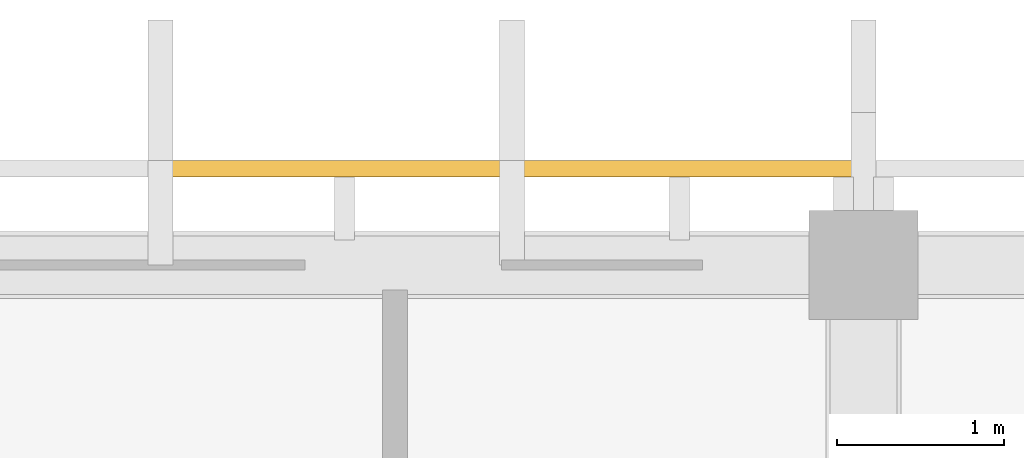
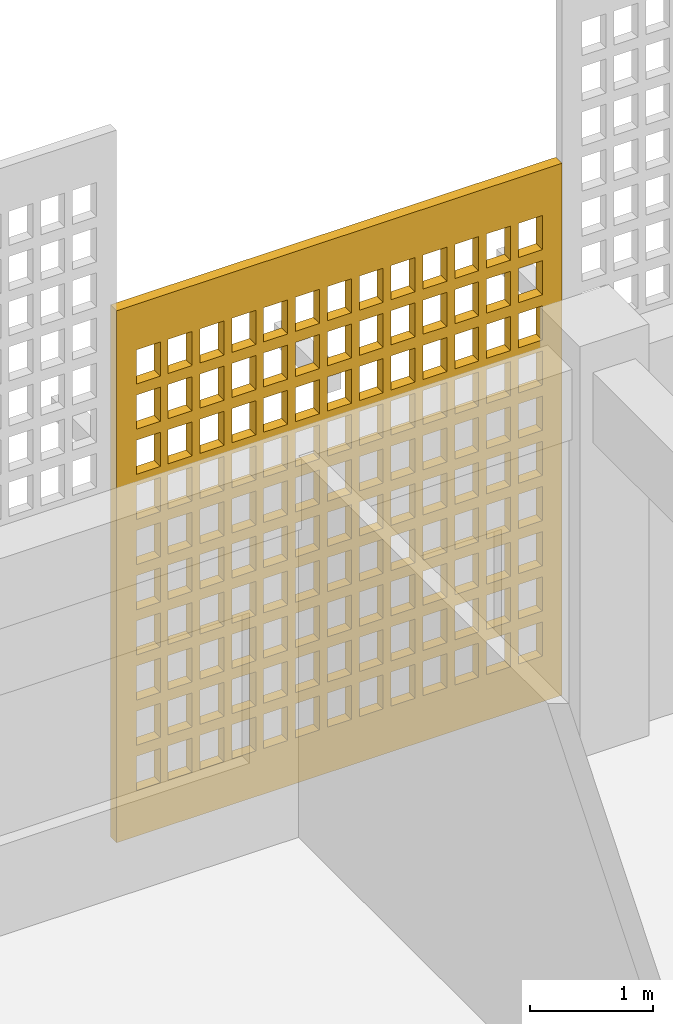
# One storey, part 19 of 23: 1 shading device, 1 opening.
"""IFC4 building model written with IfcOpenShell, lengths in metres."""

from ifc_helpers import new_model, si_unit, direction, frame, origin, origin_2d, place, context, subcontext, project, spatial, rectangle, extrude, material, layer, layer_set, type_object, element, save


model = new_model("IFC4")

# Units and contexts
model_context = context("Model", 3, precision=1e-05, world=origin(), true_north=direction((0.0, 1.0)))
body_context = subcontext(model_context, "Body", "Model", "MODEL_VIEW")
ifc_project = project(units=[si_unit("LENGTHUNIT", "METRE"), si_unit("AREAUNIT", "SQUARE_METRE"), si_unit("VOLUMEUNIT", "CUBIC_METRE"), si_unit("PLANEANGLEUNIT", "RADIAN"), si_unit("MASSUNIT", "GRAM", prefix="KILO")], contexts=[model_context])

# Site, building, storey
site_placement = place(None, origin())
site = spatial("IfcSite", under=ifc_project, at=site_placement, CompositionType="ELEMENT")
building_placement = place(site_placement, origin())
building = spatial("IfcBuilding", under=site, at=building_placement, Name="Rulbaag Community and Learning Centre", CompositionType="ELEMENT")
storey_placement = place(building_placement, frame((0.0, 0.0, 64.800048828125)))
storey = spatial("IfcBuildingStorey", under=building, at=storey_placement, Name="L17", CompositionType="ELEMENT", Elevation=64.800048828125)

# Shading device, opening
ifc_material = material(Name="Concrete M40", Category="concrete")
ifc_layer = layer(ifc_material, 0.10009765625)
ifc_layer_set = layer_set([ifc_layer], Name="JC-4")
shading_device_type = type_object("IfcShadingDeviceType", Name="JC-4", PredefinedType="SHUTTER", material=ifc_layer_set)
shading_device_placement = place(storey_placement, frame((149.10009765625, 118.175048828125, 0.0), z_axis=(0.0, 0.0, 1.0), x_axis=(1.0, 0.0, 0.0)))
shading_device = element("IfcShadingDevice", 1, at=shading_device_placement, inside=storey, type_object=shading_device_type, Name="Jaali lantern screen", PredefinedType="SHUTTER", context=body_context, shape_type="SweptSolid", body=[
    extrude(rectangle(XDim=4.199951171875, YDim=0.10009765625, at=origin_2d()), origin(), (0.0, 0.0, 1.0), 5.300048828125),
])
opening_placement = place(shading_device_placement, origin())
element("IfcOpeningElement", 2, at=opening_placement, cuts=shading_device, Name="Perforation JC4", PredefinedType="OPENING", context=body_context, shape_type="SweptSolid", body=[
    extrude(rectangle(XDim=0.22509765625, YDim=0.340087890625, at=origin_2d()), frame((-1.800048828125, -0.06005859375, 0.625), z_axis=(0.0, 1.0, 0.0), x_axis=(1.0, 0.0, 0.0)), (0.0, 0.0, 1.0), 0.1201171875),
    extrude(rectangle(XDim=0.22509765625, YDim=0.340087890625, at=origin_2d()), frame((-1.5, -0.06005859375, 0.625), z_axis=(0.0, 1.0, 0.0), x_axis=(1.0, 0.0, 0.0)), (0.0, 0.0, 1.0), 0.1201171875),
    extrude(rectangle(XDim=0.22509765625, YDim=0.340087890625, at=origin_2d()), frame((-1.199951171875, -0.06005859375, 0.625), z_axis=(0.0, 1.0, 0.0), x_axis=(1.0, 0.0, 0.0)), (0.0, 0.0, 1.0), 0.1201171875),
    extrude(rectangle(XDim=0.22509765625, YDim=0.340087890625, at=origin_2d()), frame((-0.89990234375, -0.06005859375, 0.625), z_axis=(0.0, 1.0, 0.0), x_axis=(1.0, 0.0, 0.0)), (0.0, 0.0, 1.0), 0.1201171875),
    extrude(rectangle(XDim=0.22509765625, YDim=0.340087890625, at=origin_2d()), frame((-0.60009765625, -0.06005859375, 0.625), z_axis=(0.0, 1.0, 0.0), x_axis=(1.0, 0.0, 0.0)), (0.0, 0.0, 1.0), 0.1201171875),
    extrude(rectangle(XDim=0.22509765625, YDim=0.340087890625, at=origin_2d()), frame((-0.300048828125, -0.06005859375, 0.625), z_axis=(0.0, 1.0, 0.0), x_axis=(1.0, 0.0, 0.0)), (0.0, 0.0, 1.0), 0.1201171875),
    extrude(rectangle(XDim=0.22509765625, YDim=0.340087890625, at=origin_2d()), frame((0.0, -0.06005859375, 0.625), z_axis=(0.0, 1.0, 0.0), x_axis=(1.0, 0.0, 0.0)), (0.0, 0.0, 1.0), 0.1201171875),
    extrude(rectangle(XDim=0.22509765625, YDim=0.340087890625, at=origin_2d()), frame((0.300048828125, -0.06005859375, 0.625), z_axis=(0.0, 1.0, 0.0), x_axis=(1.0, 0.0, 0.0)), (0.0, 0.0, 1.0), 0.1201171875),
    extrude(rectangle(XDim=0.22509765625, YDim=0.340087890625, at=origin_2d()), frame((0.60009765625, -0.06005859375, 0.625), z_axis=(0.0, 1.0, 0.0), x_axis=(1.0, 0.0, 0.0)), (0.0, 0.0, 1.0), 0.1201171875),
    extrude(rectangle(XDim=0.22509765625, YDim=0.340087890625, at=origin_2d()), frame((0.89990234375, -0.06005859375, 0.625), z_axis=(0.0, 1.0, 0.0), x_axis=(1.0, 0.0, 0.0)), (0.0, 0.0, 1.0), 0.1201171875),
    extrude(rectangle(XDim=0.22509765625, YDim=0.340087890625, at=origin_2d()), frame((1.199951171875, -0.06005859375, 0.625), z_axis=(0.0, 1.0, 0.0), x_axis=(1.0, 0.0, 0.0)), (0.0, 0.0, 1.0), 0.1201171875),
    extrude(rectangle(XDim=0.22509765625, YDim=0.340087890625, at=origin_2d()), frame((1.5, -0.06005859375, 0.625), z_axis=(0.0, 1.0, 0.0), x_axis=(1.0, 0.0, 0.0)), (0.0, 0.0, 1.0), 0.1201171875),
    extrude(rectangle(XDim=0.22509765625, YDim=0.340087890625, at=origin_2d()), frame((1.800048828125, -0.06005859375, 0.625), z_axis=(0.0, 1.0, 0.0), x_axis=(1.0, 0.0, 0.0)), (0.0, 0.0, 1.0), 0.1201171875),
    extrude(rectangle(XDim=0.22509765625, YDim=0.340087890625, at=origin_2d()), frame((-1.800048828125, -0.06005859375, 1.074951171875), z_axis=(0.0, 1.0, 0.0), x_axis=(1.0, 0.0, 0.0)), (0.0, 0.0, 1.0), 0.1201171875),
    extrude(rectangle(XDim=0.22509765625, YDim=0.340087890625, at=origin_2d()), frame((-1.5, -0.06005859375, 1.074951171875), z_axis=(0.0, 1.0, 0.0), x_axis=(1.0, 0.0, 0.0)), (0.0, 0.0, 1.0), 0.1201171875),
    extrude(rectangle(XDim=0.22509765625, YDim=0.340087890625, at=origin_2d()), frame((-1.199951171875, -0.06005859375, 1.074951171875), z_axis=(0.0, 1.0, 0.0), x_axis=(1.0, 0.0, 0.0)), (0.0, 0.0, 1.0), 0.1201171875),
    extrude(rectangle(XDim=0.22509765625, YDim=0.340087890625, at=origin_2d()), frame((-0.89990234375, -0.06005859375, 1.074951171875), z_axis=(0.0, 1.0, 0.0), x_axis=(1.0, 0.0, 0.0)), (0.0, 0.0, 1.0), 0.1201171875),
    extrude(rectangle(XDim=0.22509765625, YDim=0.340087890625, at=origin_2d()), frame((-0.60009765625, -0.06005859375, 1.074951171875), z_axis=(0.0, 1.0, 0.0), x_axis=(1.0, 0.0, 0.0)), (0.0, 0.0, 1.0), 0.1201171875),
    extrude(rectangle(XDim=0.22509765625, YDim=0.340087890625, at=origin_2d()), frame((-0.300048828125, -0.06005859375, 1.074951171875), z_axis=(0.0, 1.0, 0.0), x_axis=(1.0, 0.0, 0.0)), (0.0, 0.0, 1.0), 0.1201171875),
    extrude(rectangle(XDim=0.22509765625, YDim=0.340087890625, at=origin_2d()), frame((0.0, -0.06005859375, 1.074951171875), z_axis=(0.0, 1.0, 0.0), x_axis=(1.0, 0.0, 0.0)), (0.0, 0.0, 1.0), 0.1201171875),
    extrude(rectangle(XDim=0.22509765625, YDim=0.340087890625, at=origin_2d()), frame((0.300048828125, -0.06005859375, 1.074951171875), z_axis=(0.0, 1.0, 0.0), x_axis=(1.0, 0.0, 0.0)), (0.0, 0.0, 1.0), 0.1201171875),
    extrude(rectangle(XDim=0.22509765625, YDim=0.340087890625, at=origin_2d()), frame((0.60009765625, -0.06005859375, 1.074951171875), z_axis=(0.0, 1.0, 0.0), x_axis=(1.0, 0.0, 0.0)), (0.0, 0.0, 1.0), 0.1201171875),
    extrude(rectangle(XDim=0.22509765625, YDim=0.340087890625, at=origin_2d()), frame((0.89990234375, -0.06005859375, 1.074951171875), z_axis=(0.0, 1.0, 0.0), x_axis=(1.0, 0.0, 0.0)), (0.0, 0.0, 1.0), 0.1201171875),
    extrude(rectangle(XDim=0.22509765625, YDim=0.340087890625, at=origin_2d()), frame((1.199951171875, -0.06005859375, 1.074951171875), z_axis=(0.0, 1.0, 0.0), x_axis=(1.0, 0.0, 0.0)), (0.0, 0.0, 1.0), 0.1201171875),
    extrude(rectangle(XDim=0.22509765625, YDim=0.340087890625, at=origin_2d()), frame((1.5, -0.06005859375, 1.074951171875), z_axis=(0.0, 1.0, 0.0), x_axis=(1.0, 0.0, 0.0)), (0.0, 0.0, 1.0), 0.1201171875),
    extrude(rectangle(XDim=0.22509765625, YDim=0.340087890625, at=origin_2d()), frame((1.800048828125, -0.06005859375, 1.074951171875), z_axis=(0.0, 1.0, 0.0), x_axis=(1.0, 0.0, 0.0)), (0.0, 0.0, 1.0), 0.1201171875),
    extrude(rectangle(XDim=0.22509765625, YDim=0.340087890625, at=origin_2d()), frame((-1.800048828125, -0.06005859375, 1.52490234375), z_axis=(0.0, 1.0, 0.0), x_axis=(1.0, 0.0, 0.0)), (0.0, 0.0, 1.0), 0.1201171875),
    extrude(rectangle(XDim=0.22509765625, YDim=0.340087890625, at=origin_2d()), frame((-1.5, -0.06005859375, 1.52490234375), z_axis=(0.0, 1.0, 0.0), x_axis=(1.0, 0.0, 0.0)), (0.0, 0.0, 1.0), 0.1201171875),
    extrude(rectangle(XDim=0.22509765625, YDim=0.340087890625, at=origin_2d()), frame((-1.199951171875, -0.06005859375, 1.52490234375), z_axis=(0.0, 1.0, 0.0), x_axis=(1.0, 0.0, 0.0)), (0.0, 0.0, 1.0), 0.1201171875),
    extrude(rectangle(XDim=0.22509765625, YDim=0.340087890625, at=origin_2d()), frame((-0.89990234375, -0.06005859375, 1.52490234375), z_axis=(0.0, 1.0, 0.0), x_axis=(1.0, 0.0, 0.0)), (0.0, 0.0, 1.0), 0.1201171875),
    extrude(rectangle(XDim=0.22509765625, YDim=0.340087890625, at=origin_2d()), frame((-0.60009765625, -0.06005859375, 1.52490234375), z_axis=(0.0, 1.0, 0.0), x_axis=(1.0, 0.0, 0.0)), (0.0, 0.0, 1.0), 0.1201171875),
    extrude(rectangle(XDim=0.22509765625, YDim=0.340087890625, at=origin_2d()), frame((-0.300048828125, -0.06005859375, 1.52490234375), z_axis=(0.0, 1.0, 0.0), x_axis=(1.0, 0.0, 0.0)), (0.0, 0.0, 1.0), 0.1201171875),
    extrude(rectangle(XDim=0.22509765625, YDim=0.340087890625, at=origin_2d()), frame((0.0, -0.06005859375, 1.52490234375), z_axis=(0.0, 1.0, 0.0), x_axis=(1.0, 0.0, 0.0)), (0.0, 0.0, 1.0), 0.1201171875),
    extrude(rectangle(XDim=0.22509765625, YDim=0.340087890625, at=origin_2d()), frame((0.300048828125, -0.06005859375, 1.52490234375), z_axis=(0.0, 1.0, 0.0), x_axis=(1.0, 0.0, 0.0)), (0.0, 0.0, 1.0), 0.1201171875),
    extrude(rectangle(XDim=0.22509765625, YDim=0.340087890625, at=origin_2d()), frame((0.60009765625, -0.06005859375, 1.52490234375), z_axis=(0.0, 1.0, 0.0), x_axis=(1.0, 0.0, 0.0)), (0.0, 0.0, 1.0), 0.1201171875),
    extrude(rectangle(XDim=0.22509765625, YDim=0.340087890625, at=origin_2d()), frame((0.89990234375, -0.06005859375, 1.52490234375), z_axis=(0.0, 1.0, 0.0), x_axis=(1.0, 0.0, 0.0)), (0.0, 0.0, 1.0), 0.1201171875),
    extrude(rectangle(XDim=0.22509765625, YDim=0.340087890625, at=origin_2d()), frame((1.199951171875, -0.06005859375, 1.52490234375), z_axis=(0.0, 1.0, 0.0), x_axis=(1.0, 0.0, 0.0)), (0.0, 0.0, 1.0), 0.1201171875),
    extrude(rectangle(XDim=0.22509765625, YDim=0.340087890625, at=origin_2d()), frame((1.5, -0.06005859375, 1.52490234375), z_axis=(0.0, 1.0, 0.0), x_axis=(1.0, 0.0, 0.0)), (0.0, 0.0, 1.0), 0.1201171875),
    extrude(rectangle(XDim=0.22509765625, YDim=0.340087890625, at=origin_2d()), frame((1.800048828125, -0.06005859375, 1.52490234375), z_axis=(0.0, 1.0, 0.0), x_axis=(1.0, 0.0, 0.0)), (0.0, 0.0, 1.0), 0.1201171875),
    extrude(rectangle(XDim=0.22509765625, YDim=0.340087890625, at=origin_2d()), frame((-1.800048828125, -0.06005859375, 1.97509765625), z_axis=(0.0, 1.0, 0.0), x_axis=(1.0, 0.0, 0.0)), (0.0, 0.0, 1.0), 0.1201171875),
    extrude(rectangle(XDim=0.22509765625, YDim=0.340087890625, at=origin_2d()), frame((-1.5, -0.06005859375, 1.97509765625), z_axis=(0.0, 1.0, 0.0), x_axis=(1.0, 0.0, 0.0)), (0.0, 0.0, 1.0), 0.1201171875),
    extrude(rectangle(XDim=0.22509765625, YDim=0.340087890625, at=origin_2d()), frame((-1.199951171875, -0.06005859375, 1.97509765625), z_axis=(0.0, 1.0, 0.0), x_axis=(1.0, 0.0, 0.0)), (0.0, 0.0, 1.0), 0.1201171875),
    extrude(rectangle(XDim=0.22509765625, YDim=0.340087890625, at=origin_2d()), frame((-0.89990234375, -0.06005859375, 1.97509765625), z_axis=(0.0, 1.0, 0.0), x_axis=(1.0, 0.0, 0.0)), (0.0, 0.0, 1.0), 0.1201171875),
    extrude(rectangle(XDim=0.22509765625, YDim=0.340087890625, at=origin_2d()), frame((-0.60009765625, -0.06005859375, 1.97509765625), z_axis=(0.0, 1.0, 0.0), x_axis=(1.0, 0.0, 0.0)), (0.0, 0.0, 1.0), 0.1201171875),
    extrude(rectangle(XDim=0.22509765625, YDim=0.340087890625, at=origin_2d()), frame((-0.300048828125, -0.06005859375, 1.97509765625), z_axis=(0.0, 1.0, 0.0), x_axis=(1.0, 0.0, 0.0)), (0.0, 0.0, 1.0), 0.1201171875),
    extrude(rectangle(XDim=0.22509765625, YDim=0.340087890625, at=origin_2d()), frame((0.0, -0.06005859375, 1.97509765625), z_axis=(0.0, 1.0, 0.0), x_axis=(1.0, 0.0, 0.0)), (0.0, 0.0, 1.0), 0.1201171875),
    extrude(rectangle(XDim=0.22509765625, YDim=0.340087890625, at=origin_2d()), frame((0.300048828125, -0.06005859375, 1.97509765625), z_axis=(0.0, 1.0, 0.0), x_axis=(1.0, 0.0, 0.0)), (0.0, 0.0, 1.0), 0.1201171875),
    extrude(rectangle(XDim=0.22509765625, YDim=0.340087890625, at=origin_2d()), frame((0.60009765625, -0.06005859375, 1.97509765625), z_axis=(0.0, 1.0, 0.0), x_axis=(1.0, 0.0, 0.0)), (0.0, 0.0, 1.0), 0.1201171875),
    extrude(rectangle(XDim=0.22509765625, YDim=0.340087890625, at=origin_2d()), frame((0.89990234375, -0.06005859375, 1.97509765625), z_axis=(0.0, 1.0, 0.0), x_axis=(1.0, 0.0, 0.0)), (0.0, 0.0, 1.0), 0.1201171875),
    extrude(rectangle(XDim=0.22509765625, YDim=0.340087890625, at=origin_2d()), frame((1.199951171875, -0.06005859375, 1.97509765625), z_axis=(0.0, 1.0, 0.0), x_axis=(1.0, 0.0, 0.0)), (0.0, 0.0, 1.0), 0.1201171875),
    extrude(rectangle(XDim=0.22509765625, YDim=0.340087890625, at=origin_2d()), frame((1.5, -0.06005859375, 1.97509765625), z_axis=(0.0, 1.0, 0.0), x_axis=(1.0, 0.0, 0.0)), (0.0, 0.0, 1.0), 0.1201171875),
    extrude(rectangle(XDim=0.22509765625, YDim=0.340087890625, at=origin_2d()), frame((1.800048828125, -0.06005859375, 1.97509765625), z_axis=(0.0, 1.0, 0.0), x_axis=(1.0, 0.0, 0.0)), (0.0, 0.0, 1.0), 0.1201171875),
    extrude(rectangle(XDim=0.22509765625, YDim=0.340087890625, at=origin_2d()), frame((-1.800048828125, -0.06005859375, 2.425048828125), z_axis=(0.0, 1.0, 0.0), x_axis=(1.0, 0.0, 0.0)), (0.0, 0.0, 1.0), 0.1201171875),
    extrude(rectangle(XDim=0.22509765625, YDim=0.340087890625, at=origin_2d()), frame((-1.5, -0.06005859375, 2.425048828125), z_axis=(0.0, 1.0, 0.0), x_axis=(1.0, 0.0, 0.0)), (0.0, 0.0, 1.0), 0.1201171875),
    extrude(rectangle(XDim=0.22509765625, YDim=0.340087890625, at=origin_2d()), frame((-1.199951171875, -0.06005859375, 2.425048828125), z_axis=(0.0, 1.0, 0.0), x_axis=(1.0, 0.0, 0.0)), (0.0, 0.0, 1.0), 0.1201171875),
    extrude(rectangle(XDim=0.22509765625, YDim=0.340087890625, at=origin_2d()), frame((-0.89990234375, -0.06005859375, 2.425048828125), z_axis=(0.0, 1.0, 0.0), x_axis=(1.0, 0.0, 0.0)), (0.0, 0.0, 1.0), 0.1201171875),
    extrude(rectangle(XDim=0.22509765625, YDim=0.340087890625, at=origin_2d()), frame((-0.60009765625, -0.06005859375, 2.425048828125), z_axis=(0.0, 1.0, 0.0), x_axis=(1.0, 0.0, 0.0)), (0.0, 0.0, 1.0), 0.1201171875),
    extrude(rectangle(XDim=0.22509765625, YDim=0.340087890625, at=origin_2d()), frame((-0.300048828125, -0.06005859375, 2.425048828125), z_axis=(0.0, 1.0, 0.0), x_axis=(1.0, 0.0, 0.0)), (0.0, 0.0, 1.0), 0.1201171875),
    extrude(rectangle(XDim=0.22509765625, YDim=0.340087890625, at=origin_2d()), frame((0.0, -0.06005859375, 2.425048828125), z_axis=(0.0, 1.0, 0.0), x_axis=(1.0, 0.0, 0.0)), (0.0, 0.0, 1.0), 0.1201171875),
    extrude(rectangle(XDim=0.22509765625, YDim=0.340087890625, at=origin_2d()), frame((0.300048828125, -0.06005859375, 2.425048828125), z_axis=(0.0, 1.0, 0.0), x_axis=(1.0, 0.0, 0.0)), (0.0, 0.0, 1.0), 0.1201171875),
    extrude(rectangle(XDim=0.22509765625, YDim=0.340087890625, at=origin_2d()), frame((0.60009765625, -0.06005859375, 2.425048828125), z_axis=(0.0, 1.0, 0.0), x_axis=(1.0, 0.0, 0.0)), (0.0, 0.0, 1.0), 0.1201171875),
    extrude(rectangle(XDim=0.22509765625, YDim=0.340087890625, at=origin_2d()), frame((0.89990234375, -0.06005859375, 2.425048828125), z_axis=(0.0, 1.0, 0.0), x_axis=(1.0, 0.0, 0.0)), (0.0, 0.0, 1.0), 0.1201171875),
    extrude(rectangle(XDim=0.22509765625, YDim=0.340087890625, at=origin_2d()), frame((1.199951171875, -0.06005859375, 2.425048828125), z_axis=(0.0, 1.0, 0.0), x_axis=(1.0, 0.0, 0.0)), (0.0, 0.0, 1.0), 0.1201171875),
    extrude(rectangle(XDim=0.22509765625, YDim=0.340087890625, at=origin_2d()), frame((1.5, -0.06005859375, 2.425048828125), z_axis=(0.0, 1.0, 0.0), x_axis=(1.0, 0.0, 0.0)), (0.0, 0.0, 1.0), 0.1201171875),
    extrude(rectangle(XDim=0.22509765625, YDim=0.340087890625, at=origin_2d()), frame((1.800048828125, -0.06005859375, 2.425048828125), z_axis=(0.0, 1.0, 0.0), x_axis=(1.0, 0.0, 0.0)), (0.0, 0.0, 1.0), 0.1201171875),
    extrude(rectangle(XDim=0.22509765625, YDim=0.340087890625, at=origin_2d()), frame((-1.800048828125, -0.06005859375, 2.875), z_axis=(0.0, 1.0, 0.0), x_axis=(1.0, 0.0, 0.0)), (0.0, 0.0, 1.0), 0.1201171875),
    extrude(rectangle(XDim=0.22509765625, YDim=0.340087890625, at=origin_2d()), frame((-1.5, -0.06005859375, 2.875), z_axis=(0.0, 1.0, 0.0), x_axis=(1.0, 0.0, 0.0)), (0.0, 0.0, 1.0), 0.1201171875),
    extrude(rectangle(XDim=0.22509765625, YDim=0.340087890625, at=origin_2d()), frame((-1.199951171875, -0.06005859375, 2.875), z_axis=(0.0, 1.0, 0.0), x_axis=(1.0, 0.0, 0.0)), (0.0, 0.0, 1.0), 0.1201171875),
    extrude(rectangle(XDim=0.22509765625, YDim=0.340087890625, at=origin_2d()), frame((-0.89990234375, -0.06005859375, 2.875), z_axis=(0.0, 1.0, 0.0), x_axis=(1.0, 0.0, 0.0)), (0.0, 0.0, 1.0), 0.1201171875),
    extrude(rectangle(XDim=0.22509765625, YDim=0.340087890625, at=origin_2d()), frame((-0.60009765625, -0.06005859375, 2.875), z_axis=(0.0, 1.0, 0.0), x_axis=(1.0, 0.0, 0.0)), (0.0, 0.0, 1.0), 0.1201171875),
    extrude(rectangle(XDim=0.22509765625, YDim=0.340087890625, at=origin_2d()), frame((-0.300048828125, -0.06005859375, 2.875), z_axis=(0.0, 1.0, 0.0), x_axis=(1.0, 0.0, 0.0)), (0.0, 0.0, 1.0), 0.1201171875),
    extrude(rectangle(XDim=0.22509765625, YDim=0.340087890625, at=origin_2d()), frame((0.0, -0.06005859375, 2.875), z_axis=(0.0, 1.0, 0.0), x_axis=(1.0, 0.0, 0.0)), (0.0, 0.0, 1.0), 0.1201171875),
    extrude(rectangle(XDim=0.22509765625, YDim=0.340087890625, at=origin_2d()), frame((0.300048828125, -0.06005859375, 2.875), z_axis=(0.0, 1.0, 0.0), x_axis=(1.0, 0.0, 0.0)), (0.0, 0.0, 1.0), 0.1201171875),
    extrude(rectangle(XDim=0.22509765625, YDim=0.340087890625, at=origin_2d()), frame((0.60009765625, -0.06005859375, 2.875), z_axis=(0.0, 1.0, 0.0), x_axis=(1.0, 0.0, 0.0)), (0.0, 0.0, 1.0), 0.1201171875),
    extrude(rectangle(XDim=0.22509765625, YDim=0.340087890625, at=origin_2d()), frame((0.89990234375, -0.06005859375, 2.875), z_axis=(0.0, 1.0, 0.0), x_axis=(1.0, 0.0, 0.0)), (0.0, 0.0, 1.0), 0.1201171875),
    extrude(rectangle(XDim=0.22509765625, YDim=0.340087890625, at=origin_2d()), frame((1.199951171875, -0.06005859375, 2.875), z_axis=(0.0, 1.0, 0.0), x_axis=(1.0, 0.0, 0.0)), (0.0, 0.0, 1.0), 0.1201171875),
    extrude(rectangle(XDim=0.22509765625, YDim=0.340087890625, at=origin_2d()), frame((1.5, -0.06005859375, 2.875), z_axis=(0.0, 1.0, 0.0), x_axis=(1.0, 0.0, 0.0)), (0.0, 0.0, 1.0), 0.1201171875),
    extrude(rectangle(XDim=0.22509765625, YDim=0.340087890625, at=origin_2d()), frame((1.800048828125, -0.06005859375, 2.875), z_axis=(0.0, 1.0, 0.0), x_axis=(1.0, 0.0, 0.0)), (0.0, 0.0, 1.0), 0.1201171875),
    extrude(rectangle(XDim=0.22509765625, YDim=0.340087890625, at=origin_2d()), frame((-1.800048828125, -0.06005859375, 3.324951171875), z_axis=(0.0, 1.0, 0.0), x_axis=(1.0, 0.0, 0.0)), (0.0, 0.0, 1.0), 0.1201171875),
    extrude(rectangle(XDim=0.22509765625, YDim=0.340087890625, at=origin_2d()), frame((-1.5, -0.06005859375, 3.324951171875), z_axis=(0.0, 1.0, 0.0), x_axis=(1.0, 0.0, 0.0)), (0.0, 0.0, 1.0), 0.1201171875),
    extrude(rectangle(XDim=0.22509765625, YDim=0.340087890625, at=origin_2d()), frame((-1.199951171875, -0.06005859375, 3.324951171875), z_axis=(0.0, 1.0, 0.0), x_axis=(1.0, 0.0, 0.0)), (0.0, 0.0, 1.0), 0.1201171875),
    extrude(rectangle(XDim=0.22509765625, YDim=0.340087890625, at=origin_2d()), frame((-0.89990234375, -0.06005859375, 3.324951171875), z_axis=(0.0, 1.0, 0.0), x_axis=(1.0, 0.0, 0.0)), (0.0, 0.0, 1.0), 0.1201171875),
    extrude(rectangle(XDim=0.22509765625, YDim=0.340087890625, at=origin_2d()), frame((-0.60009765625, -0.06005859375, 3.324951171875), z_axis=(0.0, 1.0, 0.0), x_axis=(1.0, 0.0, 0.0)), (0.0, 0.0, 1.0), 0.1201171875),
    extrude(rectangle(XDim=0.22509765625, YDim=0.340087890625, at=origin_2d()), frame((-0.300048828125, -0.06005859375, 3.324951171875), z_axis=(0.0, 1.0, 0.0), x_axis=(1.0, 0.0, 0.0)), (0.0, 0.0, 1.0), 0.1201171875),
    extrude(rectangle(XDim=0.22509765625, YDim=0.340087890625, at=origin_2d()), frame((0.0, -0.06005859375, 3.324951171875), z_axis=(0.0, 1.0, 0.0), x_axis=(1.0, 0.0, 0.0)), (0.0, 0.0, 1.0), 0.1201171875),
    extrude(rectangle(XDim=0.22509765625, YDim=0.340087890625, at=origin_2d()), frame((0.300048828125, -0.06005859375, 3.324951171875), z_axis=(0.0, 1.0, 0.0), x_axis=(1.0, 0.0, 0.0)), (0.0, 0.0, 1.0), 0.1201171875),
    extrude(rectangle(XDim=0.22509765625, YDim=0.340087890625, at=origin_2d()), frame((0.60009765625, -0.06005859375, 3.324951171875), z_axis=(0.0, 1.0, 0.0), x_axis=(1.0, 0.0, 0.0)), (0.0, 0.0, 1.0), 0.1201171875),
    extrude(rectangle(XDim=0.22509765625, YDim=0.340087890625, at=origin_2d()), frame((0.89990234375, -0.06005859375, 3.324951171875), z_axis=(0.0, 1.0, 0.0), x_axis=(1.0, 0.0, 0.0)), (0.0, 0.0, 1.0), 0.1201171875),
    extrude(rectangle(XDim=0.22509765625, YDim=0.340087890625, at=origin_2d()), frame((1.199951171875, -0.06005859375, 3.324951171875), z_axis=(0.0, 1.0, 0.0), x_axis=(1.0, 0.0, 0.0)), (0.0, 0.0, 1.0), 0.1201171875),
    extrude(rectangle(XDim=0.22509765625, YDim=0.340087890625, at=origin_2d()), frame((1.5, -0.06005859375, 3.324951171875), z_axis=(0.0, 1.0, 0.0), x_axis=(1.0, 0.0, 0.0)), (0.0, 0.0, 1.0), 0.1201171875),
    extrude(rectangle(XDim=0.22509765625, YDim=0.340087890625, at=origin_2d()), frame((1.800048828125, -0.06005859375, 3.324951171875), z_axis=(0.0, 1.0, 0.0), x_axis=(1.0, 0.0, 0.0)), (0.0, 0.0, 1.0), 0.1201171875),
    extrude(rectangle(XDim=0.22509765625, YDim=0.340087890625, at=origin_2d()), frame((-1.800048828125, -0.06005859375, 3.77490234375), z_axis=(0.0, 1.0, 0.0), x_axis=(1.0, 0.0, 0.0)), (0.0, 0.0, 1.0), 0.1201171875),
    extrude(rectangle(XDim=0.22509765625, YDim=0.340087890625, at=origin_2d()), frame((-1.5, -0.06005859375, 3.77490234375), z_axis=(0.0, 1.0, 0.0), x_axis=(1.0, 0.0, 0.0)), (0.0, 0.0, 1.0), 0.1201171875),
    extrude(rectangle(XDim=0.22509765625, YDim=0.340087890625, at=origin_2d()), frame((-1.199951171875, -0.06005859375, 3.77490234375), z_axis=(0.0, 1.0, 0.0), x_axis=(1.0, 0.0, 0.0)), (0.0, 0.0, 1.0), 0.1201171875),
    extrude(rectangle(XDim=0.22509765625, YDim=0.340087890625, at=origin_2d()), frame((-0.89990234375, -0.06005859375, 3.77490234375), z_axis=(0.0, 1.0, 0.0), x_axis=(1.0, 0.0, 0.0)), (0.0, 0.0, 1.0), 0.1201171875),
    extrude(rectangle(XDim=0.22509765625, YDim=0.340087890625, at=origin_2d()), frame((-0.60009765625, -0.06005859375, 3.77490234375), z_axis=(0.0, 1.0, 0.0), x_axis=(1.0, 0.0, 0.0)), (0.0, 0.0, 1.0), 0.1201171875),
    extrude(rectangle(XDim=0.22509765625, YDim=0.340087890625, at=origin_2d()), frame((-0.300048828125, -0.06005859375, 3.77490234375), z_axis=(0.0, 1.0, 0.0), x_axis=(1.0, 0.0, 0.0)), (0.0, 0.0, 1.0), 0.1201171875),
    extrude(rectangle(XDim=0.22509765625, YDim=0.340087890625, at=origin_2d()), frame((0.0, -0.06005859375, 3.77490234375), z_axis=(0.0, 1.0, 0.0), x_axis=(1.0, 0.0, 0.0)), (0.0, 0.0, 1.0), 0.1201171875),
    extrude(rectangle(XDim=0.22509765625, YDim=0.340087890625, at=origin_2d()), frame((0.300048828125, -0.06005859375, 3.77490234375), z_axis=(0.0, 1.0, 0.0), x_axis=(1.0, 0.0, 0.0)), (0.0, 0.0, 1.0), 0.1201171875),
    extrude(rectangle(XDim=0.22509765625, YDim=0.340087890625, at=origin_2d()), frame((0.60009765625, -0.06005859375, 3.77490234375), z_axis=(0.0, 1.0, 0.0), x_axis=(1.0, 0.0, 0.0)), (0.0, 0.0, 1.0), 0.1201171875),
    extrude(rectangle(XDim=0.22509765625, YDim=0.340087890625, at=origin_2d()), frame((0.89990234375, -0.06005859375, 3.77490234375), z_axis=(0.0, 1.0, 0.0), x_axis=(1.0, 0.0, 0.0)), (0.0, 0.0, 1.0), 0.1201171875),
    extrude(rectangle(XDim=0.22509765625, YDim=0.340087890625, at=origin_2d()), frame((1.199951171875, -0.06005859375, 3.77490234375), z_axis=(0.0, 1.0, 0.0), x_axis=(1.0, 0.0, 0.0)), (0.0, 0.0, 1.0), 0.1201171875),
    extrude(rectangle(XDim=0.22509765625, YDim=0.340087890625, at=origin_2d()), frame((1.5, -0.06005859375, 3.77490234375), z_axis=(0.0, 1.0, 0.0), x_axis=(1.0, 0.0, 0.0)), (0.0, 0.0, 1.0), 0.1201171875),
    extrude(rectangle(XDim=0.22509765625, YDim=0.340087890625, at=origin_2d()), frame((1.800048828125, -0.06005859375, 3.77490234375), z_axis=(0.0, 1.0, 0.0), x_axis=(1.0, 0.0, 0.0)), (0.0, 0.0, 1.0), 0.1201171875),
    extrude(rectangle(XDim=0.22509765625, YDim=0.340087890625, at=origin_2d()), frame((-1.800048828125, -0.06005859375, 4.22509765625), z_axis=(0.0, 1.0, 0.0), x_axis=(1.0, 0.0, 0.0)), (0.0, 0.0, 1.0), 0.1201171875),
    extrude(rectangle(XDim=0.22509765625, YDim=0.340087890625, at=origin_2d()), frame((-1.5, -0.06005859375, 4.22509765625), z_axis=(0.0, 1.0, 0.0), x_axis=(1.0, 0.0, 0.0)), (0.0, 0.0, 1.0), 0.1201171875),
    extrude(rectangle(XDim=0.22509765625, YDim=0.340087890625, at=origin_2d()), frame((-1.199951171875, -0.06005859375, 4.22509765625), z_axis=(0.0, 1.0, 0.0), x_axis=(1.0, 0.0, 0.0)), (0.0, 0.0, 1.0), 0.1201171875),
    extrude(rectangle(XDim=0.22509765625, YDim=0.340087890625, at=origin_2d()), frame((-0.89990234375, -0.06005859375, 4.22509765625), z_axis=(0.0, 1.0, 0.0), x_axis=(1.0, 0.0, 0.0)), (0.0, 0.0, 1.0), 0.1201171875),
    extrude(rectangle(XDim=0.22509765625, YDim=0.340087890625, at=origin_2d()), frame((-0.60009765625, -0.06005859375, 4.22509765625), z_axis=(0.0, 1.0, 0.0), x_axis=(1.0, 0.0, 0.0)), (0.0, 0.0, 1.0), 0.1201171875),
    extrude(rectangle(XDim=0.22509765625, YDim=0.340087890625, at=origin_2d()), frame((-0.300048828125, -0.06005859375, 4.22509765625), z_axis=(0.0, 1.0, 0.0), x_axis=(1.0, 0.0, 0.0)), (0.0, 0.0, 1.0), 0.1201171875),
    extrude(rectangle(XDim=0.22509765625, YDim=0.340087890625, at=origin_2d()), frame((0.0, -0.06005859375, 4.22509765625), z_axis=(0.0, 1.0, 0.0), x_axis=(1.0, 0.0, 0.0)), (0.0, 0.0, 1.0), 0.1201171875),
    extrude(rectangle(XDim=0.22509765625, YDim=0.340087890625, at=origin_2d()), frame((0.300048828125, -0.06005859375, 4.22509765625), z_axis=(0.0, 1.0, 0.0), x_axis=(1.0, 0.0, 0.0)), (0.0, 0.0, 1.0), 0.1201171875),
    extrude(rectangle(XDim=0.22509765625, YDim=0.340087890625, at=origin_2d()), frame((0.60009765625, -0.06005859375, 4.22509765625), z_axis=(0.0, 1.0, 0.0), x_axis=(1.0, 0.0, 0.0)), (0.0, 0.0, 1.0), 0.1201171875),
    extrude(rectangle(XDim=0.22509765625, YDim=0.340087890625, at=origin_2d()), frame((0.89990234375, -0.06005859375, 4.22509765625), z_axis=(0.0, 1.0, 0.0), x_axis=(1.0, 0.0, 0.0)), (0.0, 0.0, 1.0), 0.1201171875),
    extrude(rectangle(XDim=0.22509765625, YDim=0.340087890625, at=origin_2d()), frame((1.199951171875, -0.06005859375, 4.22509765625), z_axis=(0.0, 1.0, 0.0), x_axis=(1.0, 0.0, 0.0)), (0.0, 0.0, 1.0), 0.1201171875),
    extrude(rectangle(XDim=0.22509765625, YDim=0.340087890625, at=origin_2d()), frame((1.5, -0.06005859375, 4.22509765625), z_axis=(0.0, 1.0, 0.0), x_axis=(1.0, 0.0, 0.0)), (0.0, 0.0, 1.0), 0.1201171875),
    extrude(rectangle(XDim=0.22509765625, YDim=0.340087890625, at=origin_2d()), frame((1.800048828125, -0.06005859375, 4.22509765625), z_axis=(0.0, 1.0, 0.0), x_axis=(1.0, 0.0, 0.0)), (0.0, 0.0, 1.0), 0.1201171875),
    extrude(rectangle(XDim=0.22509765625, YDim=0.340087890625, at=origin_2d()), frame((-1.800048828125, -0.06005859375, 4.675048828125), z_axis=(0.0, 1.0, 0.0), x_axis=(1.0, 0.0, 0.0)), (0.0, 0.0, 1.0), 0.1201171875),
    extrude(rectangle(XDim=0.22509765625, YDim=0.340087890625, at=origin_2d()), frame((-1.5, -0.06005859375, 4.675048828125), z_axis=(0.0, 1.0, 0.0), x_axis=(1.0, 0.0, 0.0)), (0.0, 0.0, 1.0), 0.1201171875),
    extrude(rectangle(XDim=0.22509765625, YDim=0.340087890625, at=origin_2d()), frame((-1.199951171875, -0.06005859375, 4.675048828125), z_axis=(0.0, 1.0, 0.0), x_axis=(1.0, 0.0, 0.0)), (0.0, 0.0, 1.0), 0.1201171875),
    extrude(rectangle(XDim=0.22509765625, YDim=0.340087890625, at=origin_2d()), frame((-0.89990234375, -0.06005859375, 4.675048828125), z_axis=(0.0, 1.0, 0.0), x_axis=(1.0, 0.0, 0.0)), (0.0, 0.0, 1.0), 0.1201171875),
    extrude(rectangle(XDim=0.22509765625, YDim=0.340087890625, at=origin_2d()), frame((-0.60009765625, -0.06005859375, 4.675048828125), z_axis=(0.0, 1.0, 0.0), x_axis=(1.0, 0.0, 0.0)), (0.0, 0.0, 1.0), 0.1201171875),
    extrude(rectangle(XDim=0.22509765625, YDim=0.340087890625, at=origin_2d()), frame((-0.300048828125, -0.06005859375, 4.675048828125), z_axis=(0.0, 1.0, 0.0), x_axis=(1.0, 0.0, 0.0)), (0.0, 0.0, 1.0), 0.1201171875),
    extrude(rectangle(XDim=0.22509765625, YDim=0.340087890625, at=origin_2d()), frame((0.0, -0.06005859375, 4.675048828125), z_axis=(0.0, 1.0, 0.0), x_axis=(1.0, 0.0, 0.0)), (0.0, 0.0, 1.0), 0.1201171875),
    extrude(rectangle(XDim=0.22509765625, YDim=0.340087890625, at=origin_2d()), frame((0.300048828125, -0.06005859375, 4.675048828125), z_axis=(0.0, 1.0, 0.0), x_axis=(1.0, 0.0, 0.0)), (0.0, 0.0, 1.0), 0.1201171875),
    extrude(rectangle(XDim=0.22509765625, YDim=0.340087890625, at=origin_2d()), frame((0.60009765625, -0.06005859375, 4.675048828125), z_axis=(0.0, 1.0, 0.0), x_axis=(1.0, 0.0, 0.0)), (0.0, 0.0, 1.0), 0.1201171875),
    extrude(rectangle(XDim=0.22509765625, YDim=0.340087890625, at=origin_2d()), frame((0.89990234375, -0.06005859375, 4.675048828125), z_axis=(0.0, 1.0, 0.0), x_axis=(1.0, 0.0, 0.0)), (0.0, 0.0, 1.0), 0.1201171875),
    extrude(rectangle(XDim=0.22509765625, YDim=0.340087890625, at=origin_2d()), frame((1.199951171875, -0.06005859375, 4.675048828125), z_axis=(0.0, 1.0, 0.0), x_axis=(1.0, 0.0, 0.0)), (0.0, 0.0, 1.0), 0.1201171875),
    extrude(rectangle(XDim=0.22509765625, YDim=0.340087890625, at=origin_2d()), frame((1.5, -0.06005859375, 4.675048828125), z_axis=(0.0, 1.0, 0.0), x_axis=(1.0, 0.0, 0.0)), (0.0, 0.0, 1.0), 0.1201171875),
    extrude(rectangle(XDim=0.22509765625, YDim=0.340087890625, at=origin_2d()), frame((1.800048828125, -0.06005859375, 4.675048828125), z_axis=(0.0, 1.0, 0.0), x_axis=(1.0, 0.0, 0.0)), (0.0, 0.0, 1.0), 0.1201171875),
])

save(model, "model.ifc")
